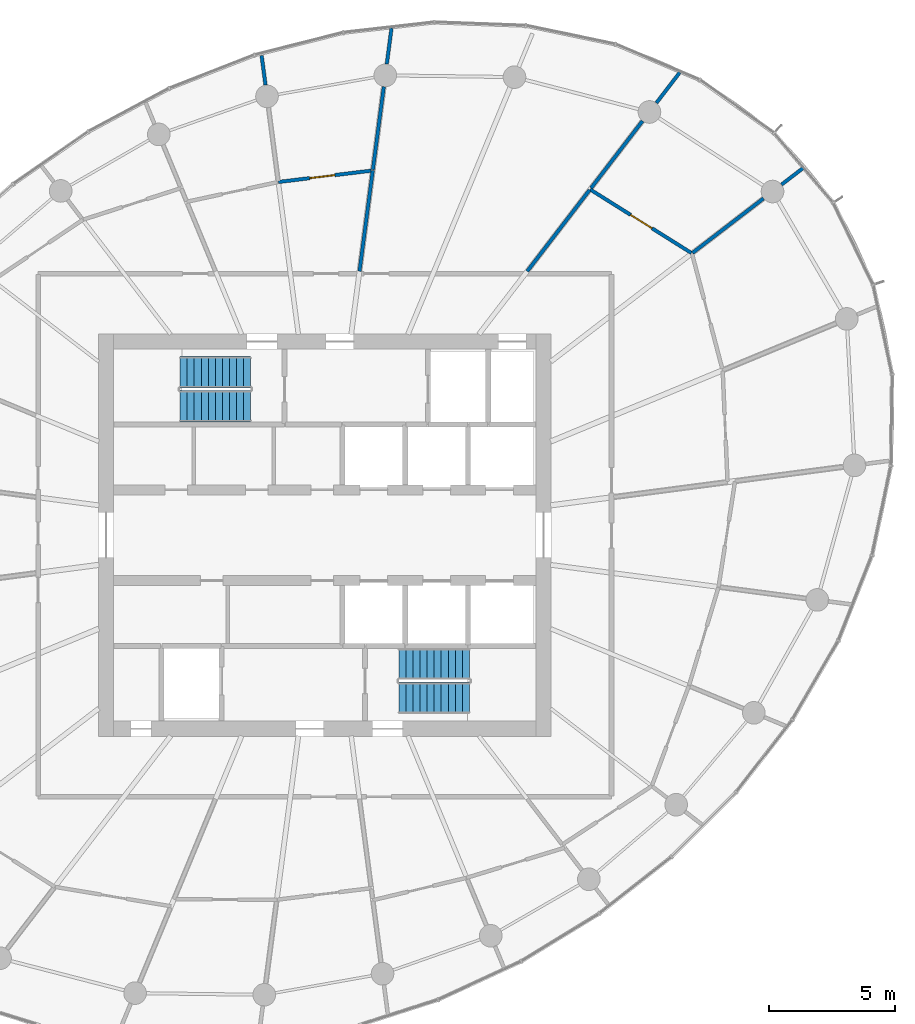
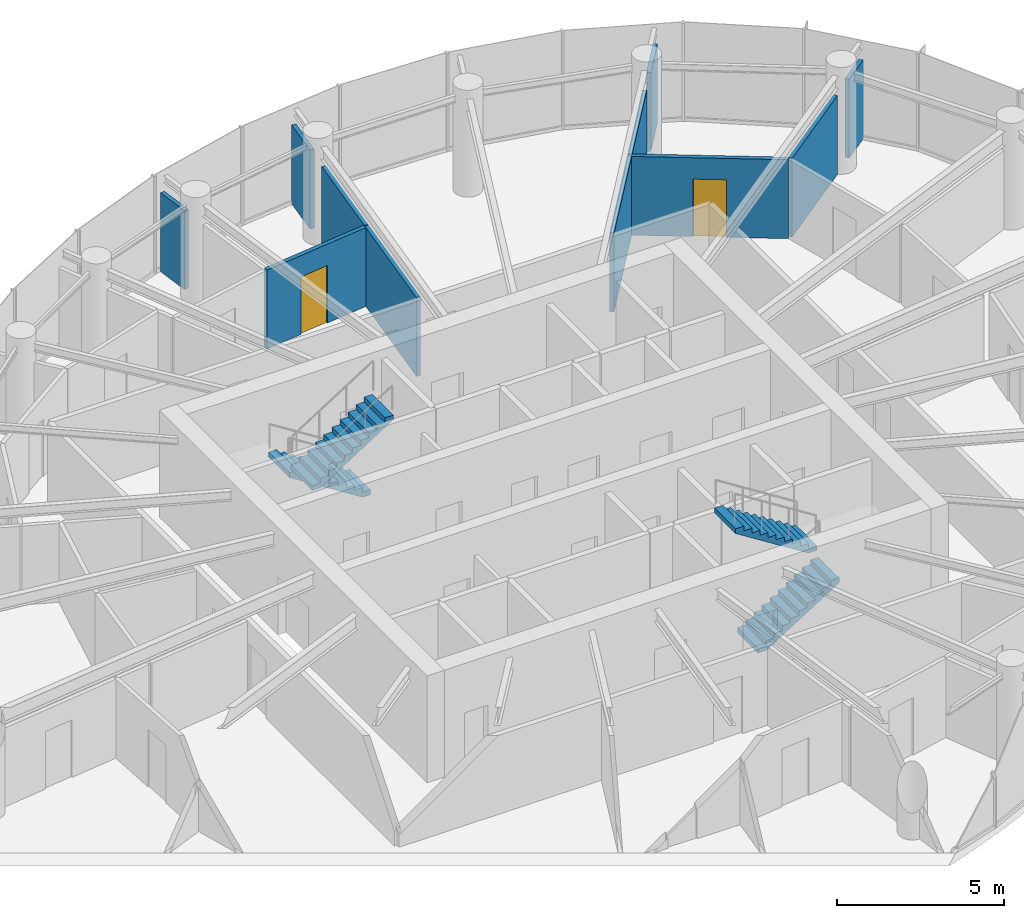
# One storey, part 13 of 15: 11 walls, 4 stair flights, 2 doors, 2 openings, 2 elements without a shape of their own.
"""IFC4 building model written with IfcOpenShell, lengths in metres."""

from ifc_helpers import new_model, si_unit, direction, frame, frame_2d, origin, place, context, subcontext, project, spatial, line, indexed_curve, rectangle, outline, extrude, source, transform, mapped, material, layer, layer_set, type_object, element, fill, aggregate, save


model = new_model("IFC4")

# Units and contexts
model_context = context("Model", 3, precision=1e-05, world=origin(), true_north=direction((0.0, 1.0)))
body_context = subcontext(model_context, "Body", "Model", "MODEL_VIEW")
ifc_project = project(units=[si_unit("LENGTHUNIT", "METRE"), si_unit("AREAUNIT", "SQUARE_METRE"), si_unit("VOLUMEUNIT", "CUBIC_METRE"), si_unit("PLANEANGLEUNIT", "RADIAN"), si_unit("MASSUNIT", "GRAM", prefix="KILO")], contexts=[model_context])

# Site, building, storey
site_placement = place(None, origin())
site = spatial("IfcSite", under=ifc_project, at=site_placement, CompositionType="ELEMENT")
building_placement = place(site_placement, origin())
building = spatial("IfcBuilding", under=site, at=building_placement, Name="Spindrift Exchange Tower", CompositionType="ELEMENT")
storey_placement = place(building_placement, frame((0.0, 0.0, 191.60009765625)))
storey = spatial("IfcBuildingStorey", under=building, at=storey_placement, Name="L46", CompositionType="ELEMENT", Elevation=191.60009765625)

# Wall, opening, door
ifc_material_1 = material(Name="Fire-rated plasterboard partition", Category="gypsum")
ifc_layer = layer(ifc_material_1, 0.139892578125)
ifc_layer_set = layer_set([ifc_layer], Name="W-PART-140")
wall_type = type_object("IfcWallType", Name="W-PART-140", PredefinedType="PARTITIONING", material=ifc_layer_set)
wall_1_placement = place(storey_placement, frame((62.546875, 61.744873046875, 0.0), z_axis=(0.0, 0.0, 1.0), x_axis=(0.846992708554, -0.531604506806, 0.0)))
wall_1 = element("IfcWall", 1, at=wall_1_placement, inside=storey, type_object=wall_type, Name="L46 Partition wall 35", PredefinedType="PARTITIONING", context=body_context, shape_type="SweptSolid", body=[
    extrude(rectangle(XDim=4.753662109375, YDim=0.139892578125, at=frame_2d((2.376953125, 0.0))), origin(), (0.0, 0.0, 1.0), 2.8798828125),
])
opening_1_placement = place(wall_1_placement, frame((1.90380859375, 0.0, 0.0)))
opening_1 = element("IfcOpeningElement", 2, at=opening_1_placement, cuts=wall_1, Name="Opening L46-D41", PredefinedType="OPENING", context=body_context, shape_type="SweptSolid", body=[
    extrude(rectangle(XDim=1.0, YDim=2.10009765625, at=frame_2d((0.5, 1.050048828125))), frame((0.0, 0.079833984375, 0.0), z_axis=(0.0, -1.0, 0.0), x_axis=(1.0, 0.0, 0.0)), (0.0, 0.0, 1.0), 0.159912109375),
])
ifc_material_2 = material(Name="Timber-core fire door", Category="wood")
door_type = type_object("IfcDoorType", Name="DR-ROOM-1000", OperationType="NOTDEFINED", PredefinedType="DOOR", material=ifc_material_2)
shared_shape = source(origin(), body_context, "Body", "SweptSolid", [
    extrude(rectangle(XDim=1.0, YDim=2.10009765625, at=frame_2d((0.5, 1.050048828125))), frame((0.0, 0.02490234375, 0.0), z_axis=(0.0, -1.0, 0.0), x_axis=(1.0, 0.0, 0.0)), (0.0, 0.0, 1.0), 0.050048828125),
])
door_1_placement = place(opening_1_placement, origin())
door_1 = element("IfcDoor", 3, at=door_1_placement, inside=storey, type_object=door_type, Name="L46 Door 41", OperationType="SINGLE_SWING_LEFT", OverallHeight=2.10009765625, OverallWidth=1.0, PredefinedType="DOOR", context=body_context, shape_type="MappedRepresentation", body=[
    mapped(shared_shape, transform((0.0, 0.0, 0.0), scale=1.0)),
])
fill(opening_1, door_1)

# Walls
wall_2_placement = place(storey_placement, frame((60.04931640625, 58.489990234375, 0.0), z_axis=(0.0, 0.0, 1.0), x_axis=(0.608739821429, 0.793369919903, 0.0)))
element("IfcWall", 4, at=wall_2_placement, inside=storey, type_object=wall_type, Name="L46 Partition wall 49", PredefinedType="PARTITIONING", context=body_context, shape_type="SweptSolid", body=[
    extrude(rectangle(XDim=4.07275390625, YDim=0.139892578125, at=frame_2d((2.036376953125, 0.0))), origin(), (0.0, 0.0, 1.0), 2.8798828125),
])
wall_3_placement = place(storey_placement, frame((53.381103515625, 58.489990234375, 0.0), z_axis=(0.0, 0.0, 1.0), x_axis=(0.130493581912, 0.991449154057, 0.0)))
element("IfcWall", 5, at=wall_3_placement, inside=storey, type_object=wall_type, Name="L46 Partition wall 50", PredefinedType="PARTITIONING", context=body_context, shape_type="SweptSolid", body=[
    extrude(rectangle(XDim=4.041259765625, YDim=0.139892578125, at=frame_2d((2.0205078125, 0.0))), origin(), (0.0, 0.0, 1.0), 2.8798828125),
])

# Wall, opening, door
wall_4_placement = place(storey_placement, frame((50.15185546875, 62.038818359375, 0.0), z_axis=(0.0, 0.0, 1.0), x_axis=(0.992659556224, 0.120942157407, 0.0)))
wall_4 = element("IfcWall", 6, at=wall_4_placement, inside=storey, type_object=wall_type, Name="L46 Partition wall 58", PredefinedType="PARTITIONING", context=body_context, shape_type="SweptSolid", body=[
    extrude(rectangle(XDim=3.71240234375, YDim=0.139892578125, at=frame_2d((1.856201171875, 0.0))), origin(), (0.0, 0.0, 1.0), 2.8798828125),
])
opening_2_placement = place(wall_4_placement, frame((1.26220703125, 0.0, 0.0)))
opening_2 = element("IfcOpeningElement", 7, at=opening_2_placement, cuts=wall_4, Name="Opening L46-D44", PredefinedType="OPENING", context=body_context, shape_type="SweptSolid", body=[
    extrude(rectangle(XDim=1.0, YDim=2.10009765625, at=frame_2d((0.5, 1.050048828125))), frame((0.0, 0.079833984375, 0.0), z_axis=(0.0, -1.0, 0.0), x_axis=(1.0, 0.0, 0.0)), (0.0, 0.0, 1.0), 0.159912109375),
])
door_2_placement = place(opening_2_placement, origin())
door_2 = element("IfcDoor", 8, at=door_2_placement, inside=storey, type_object=door_type, Name="L46 Door 44", OperationType="SINGLE_SWING_RIGHT", OverallHeight=2.10009765625, OverallWidth=1.0, PredefinedType="DOOR", context=body_context, shape_type="MappedRepresentation", body=[
    mapped(shared_shape, transform((0.0, 0.0, 0.0), scale=1.0)),
])
fill(opening_2, door_2)

# Walls
wall_5_placement = place(storey_placement, frame((66.622314453125, 59.22021484375, 0.0), z_axis=(0.0, 0.0, 1.0), x_axis=(0.793364115727, 0.60874738593, 0.0)))
element("IfcWall", 9, at=wall_5_placement, inside=storey, type_object=wall_type, Name="L46 Partition wall 63", PredefinedType="PARTITIONING", context=body_context, shape_type="SweptSolid", body=[
    extrude(rectangle(XDim=3.55322265625, YDim=0.139892578125, at=frame_2d((1.776611328125, 0.0))), origin(), (0.0, 0.0, 1.0), 2.8798828125),
])
wall_6_placement = place(storey_placement, frame((62.589599609375, 61.80078125, 0.0), z_axis=(0.0, 0.0, 1.0), x_axis=(0.608788963613, 0.793332211487, 0.0)))
element("IfcWall", 10, at=wall_6_placement, inside=storey, type_object=wall_type, Name="L46 Partition wall 65", PredefinedType="PARTITIONING", context=body_context, shape_type="SweptSolid", body=[
    extrude(rectangle(XDim=3.35498046875, YDim=0.139892578125, at=frame_2d((1.677490234375, 0.0))), origin(), (0.0, 0.0, 1.0), 2.8798828125),
])
wall_7_placement = place(storey_placement, frame((53.912353515625, 62.5263671875, 0.0), z_axis=(0.0, 0.0, 1.0), x_axis=(0.130583483351, 0.991437317169, 0.0)))
element("IfcWall", 11, at=wall_7_placement, inside=storey, type_object=wall_type, Name="L46 Partition wall 67", PredefinedType="PARTITIONING", context=body_context, shape_type="SweptSolid", body=[
    extrude(rectangle(XDim=3.329833984375, YDim=0.139892578125, at=frame_2d((1.6650390625, 0.0))), origin(), (0.0, 0.0, 1.0), 2.8798828125),
])
wall_8_placement = place(storey_placement, frame((65.185546875, 65.18359375, 0.0), z_axis=(0.0, 0.0, 1.0), x_axis=(0.608734333178, 0.793374130919, 0.0)))
element("IfcWall", 12, at=wall_8_placement, inside=storey, type_object=wall_type, Name="L46 Partition wall 85", PredefinedType="PARTITIONING", context=body_context, shape_type="SweptSolid", body=[
    extrude(rectangle(XDim=1.523193359375, YDim=0.139892578125, at=frame_2d((0.76171875, 0.0))), origin(), (0.0, 0.0, 1.0), 2.8798828125),
])
wall_9_placement = place(storey_placement, frame((54.4658203125, 66.72900390625, 0.0), z_axis=(0.0, 0.0, 1.0), x_axis=(0.130472090904, 0.991451982445, 0.0)))
element("IfcWall", 13, at=wall_9_placement, inside=storey, type_object=wall_type, Name="L46 Partition wall 86", PredefinedType="PARTITIONING", context=body_context, shape_type="SweptSolid", body=[
    extrude(rectangle(XDim=1.43701171875, YDim=0.139892578125, at=frame_2d((0.718505859375, 0.0))), origin(), (0.0, 0.0, 1.0), 2.8798828125),
])
wall_10_placement = place(storey_placement, frame((49.644287109375, 65.89306640625, 0.0), z_axis=(0.0, 0.0, 1.0), x_axis=(-0.130470558533, 0.9914521841, 0.0)))
element("IfcWall", 14, at=wall_10_placement, inside=storey, type_object=wall_type, Name="L46 Partition wall 91", PredefinedType="PARTITIONING", context=body_context, shape_type="SweptSolid", body=[
    extrude(rectangle(XDim=1.1806640625, YDim=0.139892578125, at=frame_2d((0.59033203125, 0.0))), origin(), (0.0, 0.0, 1.0), 2.8798828125),
])
wall_11_placement = place(storey_placement, frame((70.16259765625, 61.936767578125, 0.0), z_axis=(0.0, 0.0, 1.0), x_axis=(0.793400806733, 0.608699564544, 0.0)))
element("IfcWall", 15, at=wall_11_placement, inside=storey, type_object=wall_type, Name="L46 Partition wall 94", PredefinedType="PARTITIONING", context=body_context, shape_type="SweptSolid", body=[
    extrude(rectangle(XDim=1.10888671875, YDim=0.139892578125, at=frame_2d((0.554443359375, 0.0))), origin(), (0.0, 0.0, 1.0), 2.8798828125),
])

# Stair, stair flights
ifc_material_3 = material(Name="Concrete 50 MPa", Category="concrete")
stair_type = type_object("IfcStairType", Name="ST-1250-R177", PredefinedType="HALF_TURN_STAIR", material=ifc_material_3)
stair_1_placement = place(storey_placement, origin())
stair_1 = element("IfcStair", 16, at=stair_1_placement, inside=storey, type_object=stair_type, Name="L46 Exit stair ST1", PredefinedType="HALF_TURN_STAIR")
stair_flight_type = type_object("IfcStairFlightType", Name="STF-1250-R177", PredefinedType="STRAIGHT", material=ifc_material_3)
stair_flight_1_placement = place(storey_placement, frame((49.050048828125, 54.47509765625, 0.0), z_axis=(0.0, 0.0, 1.0), x_axis=(-1.0, 0.0, 0.0)))
stair_flight_1 = element("IfcStairFlight", 17, at=stair_flight_1_placement, type_object=stair_flight_type, Name="ST1 flight 1", NumberOfRisers=11, NumberOfTreads=10, PredefinedType="STRAIGHT", RiserHeight=0.177272727, TreadLength=0.28, context=body_context, shape_type="SweptSolid", body=[
    extrude(outline(indexed_curve([(0.0, 0.0), (0.0, 0.177734375), (0.2802734375, 0.177734375), (0.2802734375, 0.3544921875), (0.5595703125, 0.3544921875), (0.5595703125, 0.5322265625), (0.83984375, 0.5322265625), (0.83984375, 0.708984375), (1.1201171875, 0.708984375), (1.1201171875, 0.88671875), (1.400390625, 0.88671875), (1.400390625, 1.0634765625), (1.6796875, 1.0634765625), (1.6796875, 1.2412109375), (1.9599609375, 1.2412109375), (1.9599609375, 1.41796875), (2.240234375, 1.41796875), (2.240234375, 1.595703125), (2.51953125, 1.595703125), (2.51953125, 1.7724609375), (2.7998046875, 1.7724609375), (2.7998046875, 1.9501953125), (2.7998046875, 1.595703125), (0.2802734375, 0.0)], segments=[line(1, 2, 3, 4, 5, 6, 7, 8, 9, 10, 11, 12, 13, 14, 15, 16, 17, 18, 19, 20, 21, 22, 23, 24, 1)], self_intersect=False)), frame((0.0, 0.625, 0.0), z_axis=(0.0, -1.0, 0.0), x_axis=(1.0, 0.0, 0.0)), (0.0, 0.0, 1.0), 1.25),
])
stair_flight_2_placement = place(storey_placement, frame((46.25, 53.125, 1.949951171875), z_axis=(0.0, 0.0, 1.0), x_axis=(1.0, 0.0, 0.0)))
stair_flight_2 = element("IfcStairFlight", 18, at=stair_flight_2_placement, type_object=stair_flight_type, Name="ST1 flight 2", NumberOfRisers=11, NumberOfTreads=10, PredefinedType="STRAIGHT", RiserHeight=0.177272727, TreadLength=0.28, context=body_context, shape_type="SweptSolid", body=[
    extrude(outline(indexed_curve([(0.0, 0.0), (0.0, 0.177734375), (0.2802734375, 0.177734375), (0.2802734375, 0.3544921875), (0.5595703125, 0.3544921875), (0.5595703125, 0.5322265625), (0.83984375, 0.5322265625), (0.83984375, 0.708984375), (1.1201171875, 0.708984375), (1.1201171875, 0.88671875), (1.400390625, 0.88671875), (1.400390625, 1.0634765625), (1.6796875, 1.0634765625), (1.6796875, 1.2412109375), (1.9599609375, 1.2412109375), (1.9599609375, 1.41796875), (2.240234375, 1.41796875), (2.240234375, 1.595703125), (2.51953125, 1.595703125), (2.51953125, 1.7724609375), (2.7998046875, 1.7724609375), (2.7998046875, 1.9501953125), (2.7998046875, 1.595703125), (0.2802734375, 0.0)], segments=[line(1, 2, 3, 4, 5, 6, 7, 8, 9, 10, 11, 12, 13, 14, 15, 16, 17, 18, 19, 20, 21, 22, 23, 24, 1)], self_intersect=False)), frame((0.0, 0.625, 0.0), z_axis=(0.0, -1.0, 0.0), x_axis=(1.0, 0.0, 0.0)), (0.0, 0.0, 1.0), 1.25),
])
aggregate(stair_1, [stair_flight_1, stair_flight_2])

stair_2_placement = place(storey_placement, origin())
stair_2 = element("IfcStair", 19, at=stair_2_placement, inside=storey, type_object=stair_type, Name="L46 Exit stair ST2", PredefinedType="HALF_TURN_STAIR")
stair_flight_3_placement = place(storey_placement, frame((54.949951171875, 41.52490234375, 0.0), z_axis=(0.0, 0.0, 1.0), x_axis=(1.0, 0.0, 0.0)))
stair_flight_3 = element("IfcStairFlight", 20, at=stair_flight_3_placement, type_object=stair_flight_type, Name="ST2 flight 1", NumberOfRisers=11, NumberOfTreads=10, PredefinedType="STRAIGHT", RiserHeight=0.177272727, TreadLength=0.28, context=body_context, shape_type="SweptSolid", body=[
    extrude(outline(indexed_curve([(0.0, 0.0), (0.0, 0.177734375), (0.2802734375, 0.177734375), (0.2802734375, 0.3544921875), (0.5595703125, 0.3544921875), (0.5595703125, 0.5322265625), (0.83984375, 0.5322265625), (0.83984375, 0.708984375), (1.1201171875, 0.708984375), (1.1201171875, 0.88671875), (1.400390625, 0.88671875), (1.400390625, 1.0634765625), (1.6796875, 1.0634765625), (1.6796875, 1.2412109375), (1.9599609375, 1.2412109375), (1.9599609375, 1.41796875), (2.240234375, 1.41796875), (2.240234375, 1.595703125), (2.51953125, 1.595703125), (2.51953125, 1.7724609375), (2.7998046875, 1.7724609375), (2.7998046875, 1.9501953125), (2.7998046875, 1.595703125), (0.2802734375, 0.0)], segments=[line(1, 2, 3, 4, 5, 6, 7, 8, 9, 10, 11, 12, 13, 14, 15, 16, 17, 18, 19, 20, 21, 22, 23, 24, 1)], self_intersect=False)), frame((0.0, 0.625, 0.0), z_axis=(0.0, -1.0, 0.0), x_axis=(1.0, 0.0, 0.0)), (0.0, 0.0, 1.0), 1.25),
])
stair_flight_4_placement = place(storey_placement, frame((57.75, 42.875, 1.949951171875), z_axis=(0.0, 0.0, 1.0), x_axis=(-1.0, 0.0, 0.0)))
stair_flight_4 = element("IfcStairFlight", 21, at=stair_flight_4_placement, type_object=stair_flight_type, Name="ST2 flight 2", NumberOfRisers=11, NumberOfTreads=10, PredefinedType="STRAIGHT", RiserHeight=0.177272727, TreadLength=0.28, context=body_context, shape_type="SweptSolid", body=[
    extrude(outline(indexed_curve([(0.0, 0.0), (0.0, 0.177734375), (0.2802734375, 0.177734375), (0.2802734375, 0.3544921875), (0.5595703125, 0.3544921875), (0.5595703125, 0.5322265625), (0.83984375, 0.5322265625), (0.83984375, 0.708984375), (1.1201171875, 0.708984375), (1.1201171875, 0.88671875), (1.400390625, 0.88671875), (1.400390625, 1.0634765625), (1.6796875, 1.0634765625), (1.6796875, 1.2412109375), (1.9599609375, 1.2412109375), (1.9599609375, 1.41796875), (2.240234375, 1.41796875), (2.240234375, 1.595703125), (2.51953125, 1.595703125), (2.51953125, 1.7724609375), (2.7998046875, 1.7724609375), (2.7998046875, 1.9501953125), (2.7998046875, 1.595703125), (0.2802734375, 0.0)], segments=[line(1, 2, 3, 4, 5, 6, 7, 8, 9, 10, 11, 12, 13, 14, 15, 16, 17, 18, 19, 20, 21, 22, 23, 24, 1)], self_intersect=False)), frame((0.0, 0.625, 0.0), z_axis=(0.0, -1.0, 0.0), x_axis=(1.0, 0.0, 0.0)), (0.0, 0.0, 1.0), 1.25),
])
aggregate(stair_2, [stair_flight_3, stair_flight_4])

save(model, "model.ifc")
